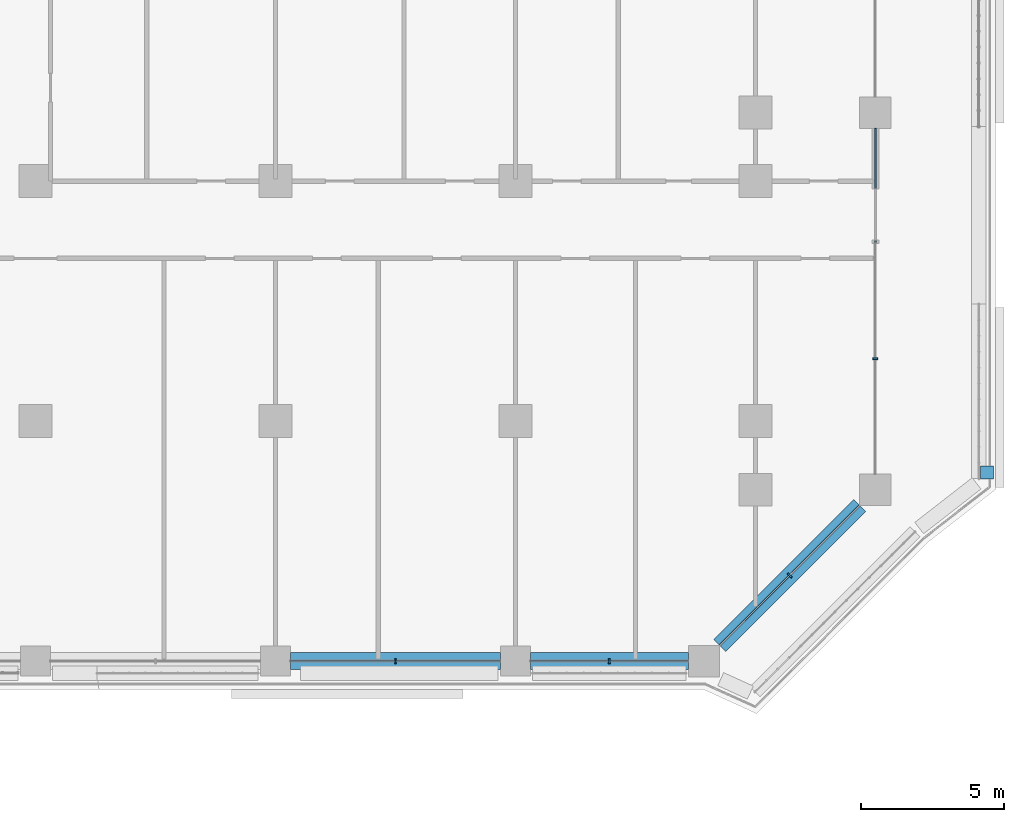
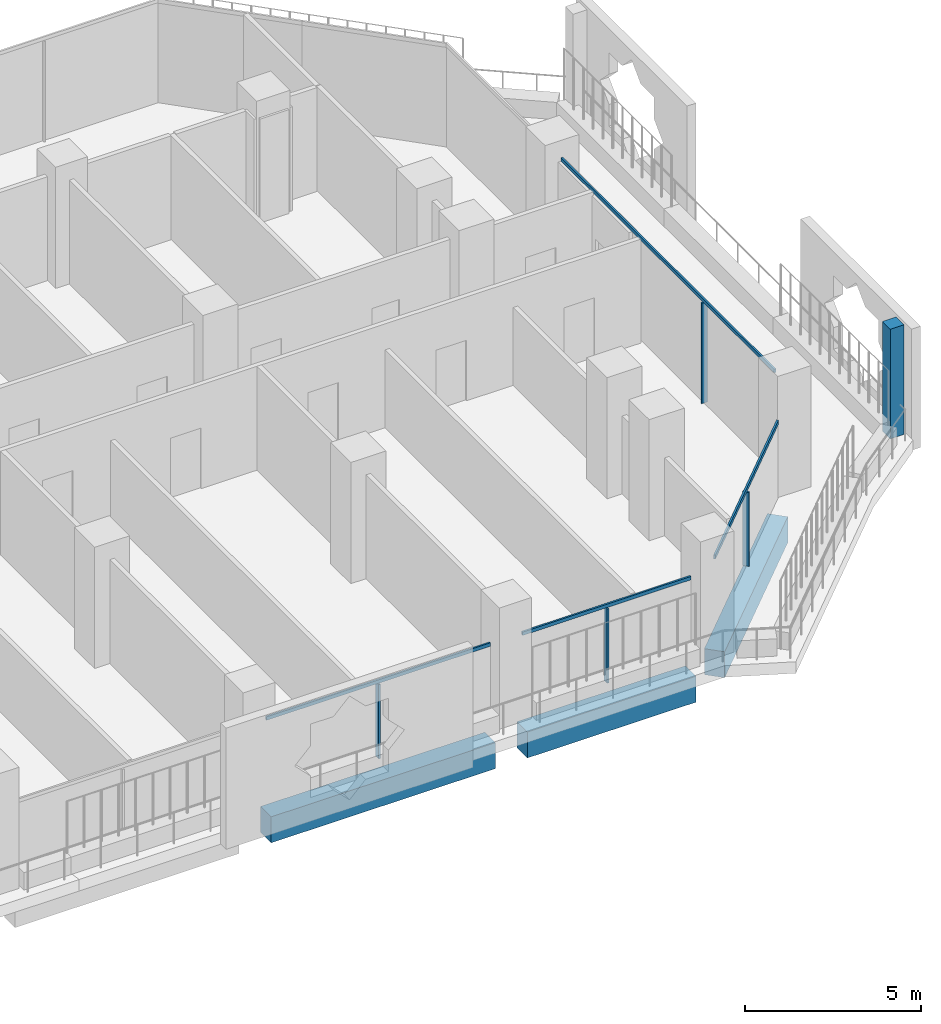
# One storey, part 7 of 27: 9 members, 3 beams, 4 elements without a shape of their own.
"""IFC4 building model written with IfcOpenShell, lengths in metres."""

import ifcopenshell
import ifcopenshell.guid

model = None  # the IFC model being written
_history = None  # IfcOwnerHistory: only IFC2X3 demands one
_inside = {}  # id of a spatial element -> (the spatial element, [elements in it])
_under = {}  # id of a project, library or spatial element -> (it, [spatial elements below it])
_declared = {}  # id of a project -> (the project, [libraries it declares])
_typed = {}  # id of a type object -> (the type object, [elements of that type])
_made_of = {}  # id of a material, layer set ... -> (it, [elements and type objects made of it])


def new_model(schema):
    """Start an empty IFC model of exactly this schema.

    Asked for "IFC4X3", IfcOpenShell would pick the latest addendum, in which some entities
    have other attributes; the version numbers below select the first issue.
    IFC2X3 requires an IfcOwnerHistory on every rooted entity: one is made here for all.
    """
    global model, _history
    if schema == "IFC4X3":
        model = ifcopenshell.file(schema_version=(4, 3, 0, 0))
    else:
        model = ifcopenshell.file(schema=schema)
    _inside.clear()
    _under.clear()
    _declared.clear()
    _typed.clear()
    _made_of.clear()
    _history = None
    if model.schema == "IFC2X3":
        org = make("IfcOrganization", Name="unknown")
        user = make(
            "IfcPersonAndOrganization",
            ThePerson=make("IfcPerson", FamilyName="unknown"),
            TheOrganization=org,
        )
        app = make(
            "IfcApplication",
            ApplicationDeveloper=org,
            Version="unknown",
            ApplicationFullName="unknown",
            ApplicationIdentifier="unknown",
        )
        _history = make(
            "IfcOwnerHistory",
            OwningUser=user,
            OwningApplication=app,
            ChangeAction="ADDED",
            CreationDate=0,
        )
    return model


def make(cls, **values):
    """One entity of the class cls with the attributes given. An attribute that is None is left unset."""
    return model.create_entity(
        cls, **{name: value for name, value in values.items() if value is not None}
    )


def rooted(cls, **values):
    """An entity with a GlobalId (a new one), such as an element, a storey or a relation."""
    return make(cls, GlobalId=ifcopenshell.guid.new(), OwnerHistory=_history, **values)


def si_unit(unit_type, name, prefix=None):
    """IfcSIUnit, for example si_unit("LENGTHUNIT", "METRE", prefix="MILLI")."""
    return make("IfcSIUnit", UnitType=unit_type, Prefix=prefix, Name=name)


def assignment(units):
    """IfcUnitAssignment: the units of a project."""
    return None if units is None else make("IfcUnitAssignment", Units=units)


def point(xyz):
    """IfcCartesianPoint."""
    return None if xyz is None else make("IfcCartesianPoint", Coordinates=xyz)


def direction(xyz):
    """IfcDirection."""
    return None if xyz is None else make("IfcDirection", DirectionRatios=xyz)


def frame(location, z_axis=None, x_axis=None):
    """IfcAxis2Placement3D, a coordinate frame: its origin and axes. An axis left out is left unset."""
    return make(
        "IfcAxis2Placement3D",
        Location=point(location),
        Axis=direction(z_axis),
        RefDirection=direction(x_axis),
    )


def frame_2d(location, x_axis=None):
    """IfcAxis2Placement2D, a coordinate frame in the plane: its origin and x axis."""
    return make(
        "IfcAxis2Placement2D", Location=point(location), RefDirection=direction(x_axis)
    )


def origin():
    """The frame at (0, 0, 0) with its axes left unset."""
    return frame((0.0, 0.0, 0.0))


def origin_2d():
    """The frame at (0, 0) in the plane with its x axis left unset."""
    return frame_2d((0.0, 0.0))


def place(relative_to, where):
    """IfcLocalPlacement: puts the frame where relative to a parent placement (None: the world)."""
    return make(
        "IfcLocalPlacement", PlacementRelTo=relative_to, RelativePlacement=where
    )


def context(
    kind, dimensions, precision=None, world=None, true_north=None, identifier=None
):
    """IfcGeometricRepresentationContext, for example the 3D "Model" context."""
    return make(
        "IfcGeometricRepresentationContext",
        ContextIdentifier=identifier,
        ContextType=kind,
        CoordinateSpaceDimension=dimensions,
        Precision=precision,
        WorldCoordinateSystem=world,
        TrueNorth=true_north,
    )


def subcontext(parent, identifier, kind, view, scale=None):
    """IfcGeometricRepresentationSubContext, for example "Body" below "Model"."""
    return make(
        "IfcGeometricRepresentationSubContext",
        ContextIdentifier=identifier,
        ContextType=kind,
        ParentContext=parent,
        TargetScale=scale,
        TargetView=view,
    )


def project(units=None, contexts=None):
    """IfcProject with its units and contexts."""
    return rooted(
        "IfcProject",
        Name="project",
        RepresentationContexts=contexts,
        UnitsInContext=assignment(units),
    )


def spatial(cls, under=None, at=None, **own):
    """A site, building, storey or space (cls), placed at a placement, below another one or the project."""
    s = rooted(cls, ObjectPlacement=at, **own)
    if under is not None:
        _under.setdefault(under.id(), (under, []))[1].append(s)
    return s


def profile(cls, at=None, kind="AREA", **sizes):
    """A parametric profile (cls). Its sizes go by their IFC names, for example OverallWidth=200.0."""
    return make(cls, ProfileType=kind, Position=at, **sizes)


def rectangle(**sizes):
    """IfcRectangleProfileDef."""
    return profile("IfcRectangleProfileDef", **sizes)


def extrude(swept, where, along, depth):
    """IfcExtrudedAreaSolid: the profile swept, set in the frame where, extruded along a direction by depth."""
    return make(
        "IfcExtrudedAreaSolid",
        SweptArea=swept,
        Position=where,
        ExtrudedDirection=direction(along),
        Depth=depth,
    )


def shape(context_of_items, identifier, shape_type, items):
    """IfcShapeRepresentation: the items that make up one representation, for example the "Body"."""
    return make(
        "IfcShapeRepresentation",
        ContextOfItems=context_of_items,
        RepresentationIdentifier=identifier,
        RepresentationType=shape_type,
        Items=items,
    )


def material(Name=None, Category=None):
    """IfcMaterial."""
    return make("IfcMaterial", Name=Name, Category=Category)


def layer(
    of_material, thickness, ventilated=None, Name=None, Category=None, Priority=None
):
    """IfcMaterialLayer: one layer of a wall or slab, of a material (None: an air gap)."""
    return make(
        "IfcMaterialLayer",
        Material=of_material,
        LayerThickness=thickness,
        IsVentilated=ventilated,
        Name=Name,
        Category=Category,
        Priority=Priority,
    )


def layer_set(layers, Name=None):
    """IfcMaterialLayerSet."""
    return make("IfcMaterialLayerSet", MaterialLayers=layers, LayerSetName=Name)


def material_profile(
    of_material, cross_section, Name=None, Category=None, Priority=None
):
    """IfcMaterialProfile: a cross section and its material."""
    return make(
        "IfcMaterialProfile",
        Name=Name,
        Material=of_material,
        Profile=cross_section,
        Priority=Priority,
        Category=Category,
    )


def profile_set(profiles, Name=None, composite=None):
    """IfcMaterialProfileSet."""
    return make(
        "IfcMaterialProfileSet",
        Name=Name,
        MaterialProfiles=profiles,
        CompositeProfile=composite,
    )


def made_of(thing, what):
    """Note that an element or type object is made of a material, layer set ...; save() writes the relation."""
    if what is not None:
        _made_of.setdefault(what.id(), (what, []))[1].append(thing)
    return thing


def type_object(cls, material=None, **own):
    """A type object (cls), such as IfcWallType, which elements share."""
    return made_of(rooted(cls, **own), material)


def element(
    cls,
    number,
    at=None,
    inside=None,
    cuts=None,
    type_object=None,
    material=None,
    context=None,
    identifier="Body",
    shape_type=None,
    held_by="IfcProductDefinitionShape",
    body=None,
    shapes=None,
    **own,
):
    """One element of the class cls, such as IfcWall. Its Tag is "e" and its number.

    at: its placement. inside: the storey or other place that contains it. cuts: it is an
    opening in that element (IfcRelVoidsElement). A single representation is given by context,
    identifier, shape_type and body (its items); several are given by shapes. held_by: the class
    of the entity that holds the representations. save() writes the other relations.
    """
    e = rooted(cls, Tag="e%d" % number, ObjectPlacement=at, **own)
    if body is not None:
        shapes = [shape(context, identifier, shape_type, body)]
    if shapes is not None:
        e.Representation = make(held_by, Representations=shapes)
    if inside is not None:
        _inside.setdefault(inside.id(), (inside, []))[1].append(e)
    if cuts is not None:
        rooted(
            "IfcRelVoidsElement", RelatingBuildingElement=cuts, RelatedOpeningElement=e
        )
    if type_object is not None:
        _typed.setdefault(type_object.id(), (type_object, []))[1].append(e)
    return made_of(e, material)


def aggregate(whole, parts):
    """IfcRelAggregates: a whole, such as a stair, and the parts it consists of."""
    return rooted("IfcRelAggregates", RelatingObject=whole, RelatedObjects=parts)


def save(model, path):
    """Write the relations noted so far, then the file.

    IfcRelAggregates (storeys below a building ...), IfcRelContainedInSpatialStructure (elements
    in a storey), IfcRelDefinesByType, IfcRelAssociatesMaterial and IfcRelDeclares: one each for
    every whole, place, type object, material and project.
    """
    for whole, parts in _under.values():
        aggregate(whole, parts)
    for where, things in _inside.values():
        rooted(
            "IfcRelContainedInSpatialStructure",
            RelatedElements=things,
            RelatingStructure=where,
        )
    for kind, things in _typed.values():
        rooted("IfcRelDefinesByType", RelatedObjects=things, RelatingType=kind)
    for what, things in _made_of.values():
        rooted("IfcRelAssociatesMaterial", RelatedObjects=things, RelatingMaterial=what)
    for by, libraries in _declared.values():
        rooted("IfcRelDeclares", RelatingContext=by, RelatedDefinitions=libraries)
    model.write(path)


model = new_model("IFC4")

# Units and contexts
model_context = context("Model", 3, precision=1e-05, world=origin(), true_north=direction((0.0, 1.0)))
body_context = subcontext(model_context, "Body", "Model", "MODEL_VIEW")
ifc_project = project(units=[si_unit("LENGTHUNIT", "METRE"), si_unit("AREAUNIT", "SQUARE_METRE"), si_unit("VOLUMEUNIT", "CUBIC_METRE"), si_unit("PLANEANGLEUNIT", "RADIAN"), si_unit("MASSUNIT", "GRAM", prefix="KILO")], contexts=[model_context])

# Site, building, storey
site_placement = place(None, origin())
site = spatial("IfcSite", under=ifc_project, at=site_placement, CompositionType="ELEMENT")
building_placement = place(site_placement, origin())
building = spatial("IfcBuilding", under=site, at=building_placement, Name="Kawkab Arch Medical Tower", CompositionType="ELEMENT")
storey_placement = place(building_placement, frame((0.0, 0.0, 103.0)))
storey = spatial("IfcBuildingStorey", under=building, at=storey_placement, Name="L23", CompositionType="ELEMENT", Elevation=103.0)

# Curtain wall, members
ifc_material_1 = material(Name="Bronze anodised aluminium curtain wall frame", Category="aluminium")
ifc_layer_1 = layer(ifc_material_1, 0.159912109375)
ifc_layer_set_1 = layer_set([ifc_layer_1], Name="Bronze anodised aluminium curtain wall frame")
curtain_wall_type_1 = type_object("IfcCurtainWallType", Name="CW1 ward curtain wall", PredefinedType="NOTDEFINED", material=ifc_layer_set_1)
placement = place(storey_placement, origin())
curtain_wall_1 = element("IfcCurtainWall", 1, at=placement, inside=storey, type_object=curtain_wall_type_1, Name="CW1 Ward curtain wall R07", PredefinedType="NOTDEFINED")
ifc_material_2 = material(Name="Bronze anodised aluminium curtain wall frame", Category="aluminium")
ifc_material_profile_1 = material_profile(ifc_material_2, rectangle(XDim=0.179931640625, YDim=0.06005859375, at=origin_2d()), Name="AL 60x180")
ifc_profile_set_1 = profile_set([ifc_material_profile_1], Name="Bronze anodised aluminium curtain wall frame")
member_type_1 = type_object("IfcMemberType", Name="CW1 mullion 60 x 180", PredefinedType="MULLION", material=ifc_profile_set_1)
member_1_placement = place(storey_placement, frame((63.0, -25.199951171875, 0.0), z_axis=(0.0, 0.0, 1.0), x_axis=(0.0, 1.0, 0.0)))
member_1 = element("IfcMember", 2, at=member_1_placement, type_object=member_type_1, Name="CW1 mullion 4.1", PredefinedType="MULLION", context=body_context, shape_type="SweptSolid", body=[
    extrude(rectangle(XDim=0.179931640625, YDim=0.06005859375, at=origin_2d()), origin(), (0.0, 0.0, 1.0), 2.580078125),
])
member_2_placement = place(storey_placement, frame((70.487548828125, -25.199951171875, 0.0), z_axis=(0.0, 0.0, 1.0), x_axis=(0.0, 1.0, 0.0)))
member_2 = element("IfcMember", 3, at=member_2_placement, type_object=member_type_1, Name="CW1 mullion 5.1", PredefinedType="MULLION", context=body_context, shape_type="SweptSolid", body=[
    extrude(rectangle(XDim=0.179931640625, YDim=0.06005859375, at=origin_2d()), origin(), (0.0, 0.0, 1.0), 2.580078125),
])

# Curtain wall, member
curtain_wall_2 = element("IfcCurtainWall", 4, at=placement, inside=storey, type_object=curtain_wall_type_1, Name="CW1 Ward curtain wall R09", PredefinedType="NOTDEFINED")
member_3_placement = place(storey_placement, frame((79.800048828125, -14.61669921875, 0.0), z_axis=(0.0, 0.0, 1.0), x_axis=(-1.0, 0.0, 0.0)))
member_3 = element("IfcMember", 5, at=member_3_placement, type_object=member_type_1, Name="CW1 mullion 1.1", PredefinedType="MULLION", context=body_context, shape_type="SweptSolid", body=[
    extrude(rectangle(XDim=0.179931640625, YDim=0.06005859375, at=origin_2d()), origin(), (0.0, 0.0, 1.0), 3.47998046875),
])

# Member
ifc_material_3 = material(Name="Bronze anodised aluminium curtain wall frame", Category="aluminium")
ifc_material_profile_2 = material_profile(ifc_material_3, rectangle(XDim=0.06005859375, YDim=0.1201171875, at=origin_2d()), Name="AL 60x120")
ifc_profile_set_2 = profile_set([ifc_material_profile_2], Name="Bronze anodised aluminium curtain wall frame")
member_type_2 = type_object("IfcMemberType", Name="CW1 transom 120 x 60", PredefinedType="USERDEFINED", material=ifc_profile_set_2)
member_4_placement = place(storey_placement, frame((59.324951171875, -25.199951171875, 2.639892578125), z_axis=(1.0, 0.0, 0.0), x_axis=(0.0, 1.0, 0.0)))
member_4 = element("IfcMember", 6, at=member_4_placement, type_object=member_type_2, Name="CW1 transom 4", ObjectType="TRANSOM", PredefinedType="USERDEFINED", context=body_context, shape_type="SweptSolid", body=[
    extrude(rectangle(XDim=0.06005859375, YDim=0.1201171875, at=origin_2d()), origin(), (0.0, 0.0, 1.0), 7.35009765625),
])

member_5_placement = place(storey_placement, frame((67.72509765625, -25.199951171875, 2.639892578125), z_axis=(1.0, 0.0, 0.0), x_axis=(0.0, 1.0, 0.0)))
member_5 = element("IfcMember", 7, at=member_5_placement, type_object=member_type_2, Name="CW1 transom 5", ObjectType="TRANSOM", PredefinedType="USERDEFINED", context=body_context, shape_type="SweptSolid", body=[
    extrude(rectangle(XDim=0.06005859375, YDim=0.1201171875, at=origin_2d()), origin(), (0.0, 0.0, 1.0), 5.52490234375),
])

aggregate(curtain_wall_1, [member_4, member_1, member_5, member_2])

member_6_placement = place(storey_placement, frame((79.800048828125, -18.64990234375, 3.5400390625), z_axis=(0.0, 1.0, 0.0), x_axis=(-1.0, 0.0, 0.0)))
member_6 = element("IfcMember", 8, at=member_6_placement, type_object=member_type_2, Name="CW1 transom 1", ObjectType="TRANSOM", PredefinedType="USERDEFINED", context=body_context, shape_type="SweptSolid", body=[
    extrude(rectangle(XDim=0.06005859375, YDim=0.1201171875, at=origin_2d()), origin(), (0.0, 0.0, 1.0), 12.099853515625),
])

aggregate(curtain_wall_2, [member_6, member_3])

# Curtain wall, members
ifc_material_4 = material(Name="Bronze anodised aluminium curtain wall frame", Category="aluminium")
ifc_layer_2 = layer(ifc_material_4, 0.159912109375)
ifc_layer_set_2 = layer_set([ifc_layer_2], Name="Bronze anodised aluminium curtain wall frame")
curtain_wall_type_2 = type_object("IfcCurtainWallType", Name="CW2 chamfer curtain wall", PredefinedType="NOTDEFINED", material=ifc_layer_set_2)
curtain_wall_3 = element("IfcCurtainWall", 9, at=placement, inside=storey, type_object=curtain_wall_type_2, Name="CW2 Chamfer curtain wall R08", PredefinedType="NOTDEFINED")
ifc_material_5 = material(Name="Bronze anodised aluminium curtain wall frame", Category="aluminium")
ifc_material_profile_3 = material_profile(ifc_material_5, rectangle(XDim=0.199951171875, YDim=0.06005859375, at=origin_2d()), Name="AL 60x200")
ifc_profile_set_3 = profile_set([ifc_material_profile_3], Name="Bronze anodised aluminium curtain wall frame")
member_type_3 = type_object("IfcMemberType", Name="CW2 mullion 60 x 200", PredefinedType="MULLION", material=ifc_profile_set_3)
member_7_placement = place(storey_placement, frame((76.800048828125, -22.199951171875, 0.0), z_axis=(0.0, 0.0, 1.0), x_axis=(-0.707106781187, 0.707106781187, 0.0)))
member_7 = element("IfcMember", 10, at=member_7_placement, type_object=member_type_3, Name="CW2 mullion 1.1", PredefinedType="MULLION", context=body_context, shape_type="SweptSolid", body=[
    extrude(rectangle(XDim=0.199951171875, YDim=0.06005859375, at=origin_2d()), origin(), (0.0, 0.0, 1.0), 2.56005859375),
])
ifc_material_6 = material(Name="Bronze anodised aluminium curtain wall frame", Category="aluminium")
ifc_material_profile_4 = material_profile(ifc_material_6, rectangle(XDim=0.06005859375, YDim=0.139892578125, at=origin_2d()), Name="AL 60x140")
ifc_profile_set_4 = profile_set([ifc_material_profile_4], Name="Bronze anodised aluminium curtain wall frame")
member_type_4 = type_object("IfcMemberType", Name="CW2 transom 140 x 60", PredefinedType="USERDEFINED", material=ifc_profile_set_4)
member_8_placement = place(storey_placement, frame((74.35009765625, -24.64990234375, 2.6298828125), z_axis=(0.707106781187, 0.707106781187, 0.0), x_axis=(-0.707106781187, 0.707106781187, 0.0)))
member_8 = element("IfcMember", 11, at=member_8_placement, type_object=member_type_4, Name="CW2 transom 1", ObjectType="TRANSOM", PredefinedType="USERDEFINED", context=body_context, shape_type="SweptSolid", body=[
    extrude(rectangle(XDim=0.06005859375, YDim=0.139892578125, at=origin_2d()), origin(), (0.0, 0.0, 1.0), 6.929443359375),
])
aggregate(curtain_wall_3, [member_8, member_7])

# Curtain wall, member
ifc_material_7 = material(Name="Bronze anodised aluminium climber frame, planted", Category="aluminium")
ifc_layer_3 = layer(ifc_material_7, 0.449951171875)
ifc_layer_set_3 = layer_set([ifc_layer_3], Name="Bronze anodised aluminium climber frame, planted")
curtain_wall_type_3 = type_object("IfcCurtainWallType", Name="Planted climber frame", PredefinedType="NOTDEFINED", material=ifc_layer_set_3)
curtain_wall_4 = element("IfcCurtainWall", 12, at=placement, inside=storey, type_object=curtain_wall_type_3, Name="Planted climber frame L23", PredefinedType="NOTDEFINED")
ifc_material_8 = material(Name="Bronze anodised aluminium climber frame, planted", Category="aluminium")
ifc_material_profile_5 = material_profile(ifc_material_8, rectangle(XDim=0.449951171875, YDim=0.449951171875, at=origin_2d()), Name="Post 450x450")
ifc_profile_set_5 = profile_set([ifc_material_profile_5], Name="Bronze anodised aluminium climber frame, planted")
member_type_5 = type_object("IfcMemberType", Name="Planted climber post 450 x 450", PredefinedType="MULLION", material=ifc_profile_set_5)
member_9_placement = place(storey_placement, frame((83.699951171875, -18.60302734375, 0.0), z_axis=(0.0, 0.0, 1.0), x_axis=(1.0, 0.0, 0.0)))
member_9 = element("IfcMember", 13, at=member_9_placement, type_object=member_type_5, Name="Planted climber post L23.LOG-01-02.4", PredefinedType="MULLION", context=body_context, shape_type="SweptSolid", body=[
    extrude(rectangle(XDim=0.449951171875, YDim=0.449951171875, at=origin_2d()), origin(), (0.0, 0.0, 1.0), 3.800048828125),
])
aggregate(curtain_wall_4, [member_9])

# Beams
ifc_material_9 = material(Name="Concrete C55/67", Category="concrete")
ifc_material_profile_6 = material_profile(ifc_material_9, rectangle(XDim=0.60009765625, YDim=0.89990234375, at=origin_2d()), Name="RC 600x900")
ifc_profile_set_6 = profile_set([ifc_material_profile_6], Name="Concrete C55/67")
beam_type = type_object("IfcBeamType", Name="RC 600x900 beam C55/67", PredefinedType="BEAM", material=ifc_profile_set_6)
beam_1_placement = place(storey_placement, frame((79.25, -19.75, -1.050048828125), z_axis=(-0.707106781187, -0.707106781187, 0.0), x_axis=(0.707106781187, -0.707106781187, 0.0)))
element("IfcBeam", 14, at=beam_1_placement, inside=storey, type_object=beam_type, Name="Overhang edge beam L23-01", PredefinedType="BEAM", context=body_context, shape_type="SweptSolid", body=[
    extrude(rectangle(XDim=0.60009765625, YDim=0.89990234375, at=origin_2d()), origin(), (0.0, 0.0, 1.0), 6.929443359375),
])
beam_2_placement = place(storey_placement, frame((73.25, -25.199951171875, -1.050048828125), z_axis=(-1.0, 0.0, 0.0), x_axis=(0.0, -1.0, 0.0)))
element("IfcBeam", 15, at=beam_2_placement, inside=storey, type_object=beam_type, Name="Overhang edge beam L23-02", PredefinedType="BEAM", context=body_context, shape_type="SweptSolid", body=[
    extrude(rectangle(XDim=0.60009765625, YDim=0.89990234375, at=origin_2d()), origin(), (0.0, 0.0, 1.0), 5.52490234375),
])
beam_3_placement = place(storey_placement, frame((66.675048828125, -25.199951171875, -1.050048828125), z_axis=(-1.0, 0.0, 0.0), x_axis=(0.0, -1.0, 0.0)))
element("IfcBeam", 16, at=beam_3_placement, inside=storey, type_object=beam_type, Name="Overhang edge beam L23-03", PredefinedType="BEAM", context=body_context, shape_type="SweptSolid", body=[
    extrude(rectangle(XDim=0.60009765625, YDim=0.89990234375, at=origin_2d()), origin(), (0.0, 0.0, 1.0), 7.35009765625),
])

save(model, "model.ifc")
